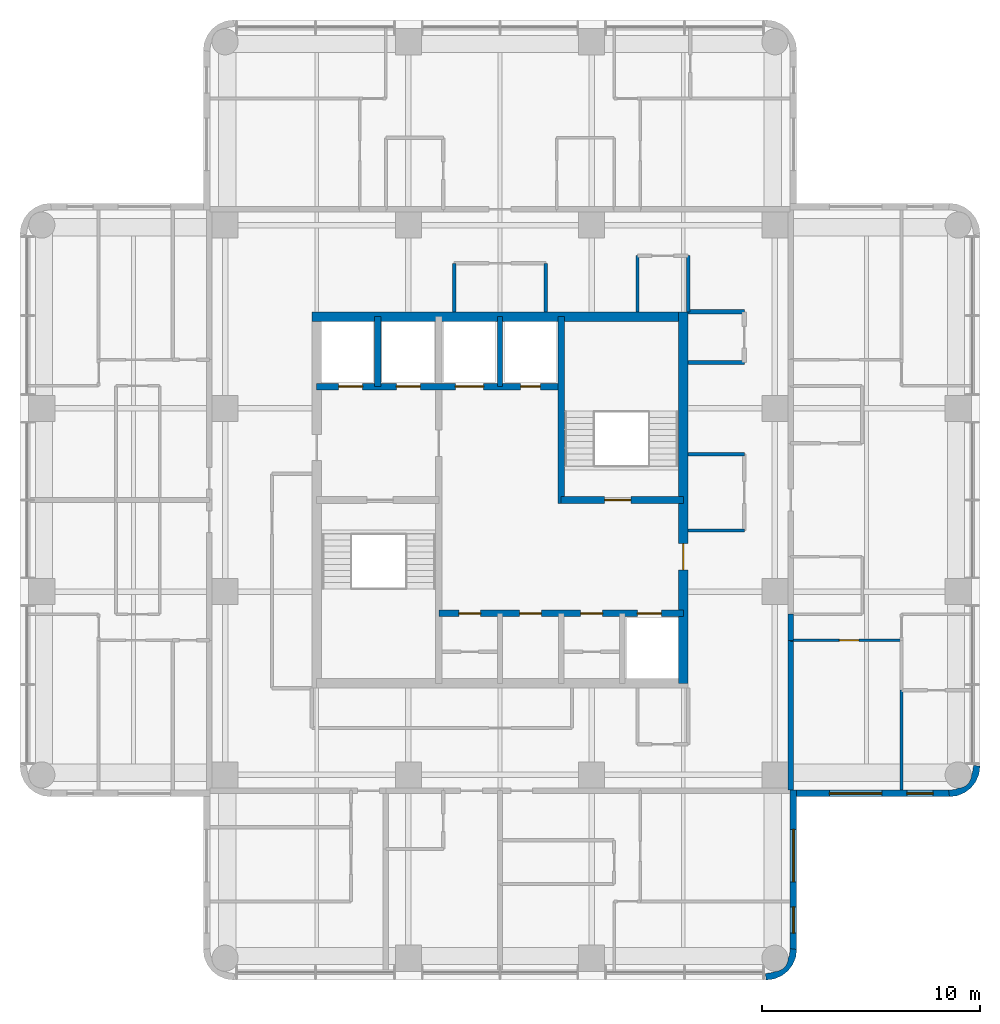
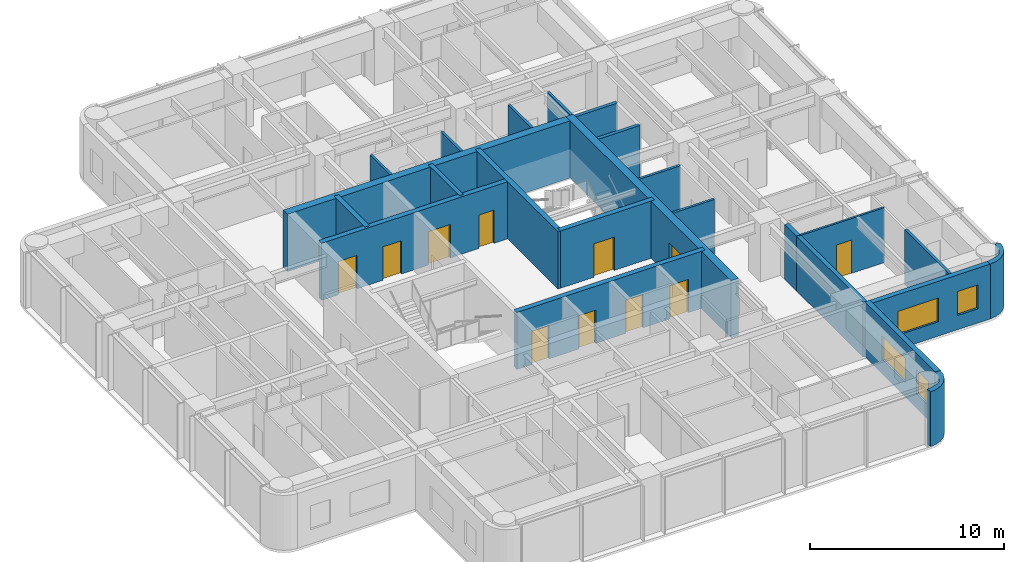
# One storey, part 6 of 10: 24 walls, 11 doors, 4 windows, 15 openings.
"""IFC4 building model written with IfcOpenShell, lengths in metres."""

from ifc_helpers import new_model, si_unit, direction, frame, frame_2d, origin, place, context, subcontext, project, spatial, polyline, rectangle, outline, extrude, material, layer, layer_set, type_object, element, fill, save


model = new_model("IFC4")

# Units and contexts
model_context = context("Model", 3, precision=1e-05, world=origin(), true_north=direction((0.0, 1.0)))
body_context = subcontext(model_context, "Body", "Model", "MODEL_VIEW")
ifc_project = project(units=[si_unit("LENGTHUNIT", "METRE"), si_unit("AREAUNIT", "SQUARE_METRE"), si_unit("VOLUMEUNIT", "CUBIC_METRE"), si_unit("PLANEANGLEUNIT", "RADIAN"), si_unit("MASSUNIT", "GRAM", prefix="KILO")], contexts=[model_context])

# Site, building, storey
site_placement = place(None, origin())
site = spatial("IfcSite", under=ifc_project, at=site_placement, CompositionType="ELEMENT")
building_placement = place(site_placement, origin())
building = spatial("IfcBuilding", under=site, at=building_placement, Name="Torre Alcanfor", CompositionType="ELEMENT")
storey_placement = place(building_placement, frame((0.0, 0.0, 261.300048828125)))
storey = spatial("IfcBuildingStorey", under=building, at=storey_placement, Name="L68", CompositionType="ELEMENT", Elevation=261.300048828125)

# Walls
ifc_material_1 = material(Name="Concrete block masonry, hollow blocks NMX-C-404 9 MPa", Category="masonry")
ifc_layer_1 = layer(ifc_material_1, 0.25)
ifc_layer_set_1 = layer_set([ifc_layer_1], Name="Apartment entrance wall 250 EI 60")
wall_type_1 = type_object("IfcWallType", Name="Apartment entrance wall 250 EI 60", PredefinedType="PARTITIONING", material=ifc_layer_set_1)
wall_1_placement = place(storey_placement, frame((42.72509765625, 24.1708984375, 0.0), z_axis=(0.0, 0.0, 1.0), x_axis=(0.0, -1.0, 0.0)))
element("IfcWall", 1, at=wall_1_placement, inside=storey, type_object=wall_type_1, Name="Partition L68-CORR / L68-EX-LIVING", PredefinedType="PARTITIONING", context=body_context, shape_type="SweptSolid", body=[
    extrude(rectangle(XDim=1.199951171875, YDim=0.25, at=frame_2d((0.60009765625, 0.0))), origin(), (0.0, 0.0, 1.0), 3.449951171875),
])
wall_2_placement = place(storey_placement, frame((42.72509765625, 22.970947265625, 0.0), z_axis=(0.0, 0.0, 1.0), x_axis=(0.0, -1.0, 0.0)))
element("IfcWall", 2, at=wall_2_placement, inside=storey, type_object=wall_type_1, Name="Partition L68-CORR / L68-EX-BED3", PredefinedType="PARTITIONING", context=body_context, shape_type="SweptSolid", body=[
    extrude(rectangle(XDim=6.870849609375, YDim=0.25, at=frame_2d((3.435546875, 0.0))), origin(), (0.0, 0.0, 1.0), 3.449951171875),
])

# Wall, opening, door
ifc_material_2 = material(Name="Gypsum board on steel studs", Category="steel")
ifc_layer_2 = layer(ifc_material_2, 0.1201171875)
ifc_layer_set_2 = layer_set([ifc_layer_2], Name="Apartment partition 120")
wall_type_2 = type_object("IfcWallType", Name="Apartment partition 120", PredefinedType="PARTITIONING", material=ifc_layer_set_2)
wall_3_placement = place(storey_placement, frame((47.800048828125, 22.970947265625, 0.0), z_axis=(0.0, 0.0, 1.0), x_axis=(-1.0, 0.0, 0.0)))
wall_3 = element("IfcWall", 3, at=wall_3_placement, inside=storey, type_object=wall_type_2, Name="Partition L68-EX-LIVING / L68-EX-BED3", PredefinedType="PARTITIONING", context=body_context, shape_type="SweptSolid", body=[
    extrude(rectangle(XDim=5.074951171875, YDim=0.1201171875, at=frame_2d((2.53759765625, 0.0))), origin(), (0.0, 0.0, 1.0), 3.449951171875),
])
opening_1_placement = place(wall_3_placement, frame((1.949951171875, 0.0, 0.0)))
opening_1 = element("IfcOpeningElement", 4, at=opening_1_placement, cuts=wall_3, Name="Opening D-R1", PredefinedType="OPENING", context=body_context, shape_type="SweptSolid", body=[
    extrude(rectangle(XDim=0.89990234375, YDim=2.10009765625, at=frame_2d((0.449951171875, 1.050048828125))), frame((0.0, 0.070068359375, 0.0), z_axis=(0.0, -1.0, 0.0), x_axis=(1.0, 0.0, 0.0)), (0.0, 0.0, 1.0), 0.14013671875),
])
ifc_material_3 = material(Name="Timber", Category="wood")
door_type_1 = type_object("IfcDoorType", Name="Internal door 900x2100", OperationType="SINGLE_SWING_LEFT", PredefinedType="DOOR", material=ifc_material_3)
door_1_placement = place(opening_1_placement, origin())
door_1 = element("IfcDoor", 5, at=door_1_placement, inside=storey, type_object=door_type_1, Name="Door L68-EX bed3", OperationType="SINGLE_SWING_LEFT", OverallHeight=2.10009765625, OverallWidth=0.89990234375, PredefinedType="DOOR", context=body_context, shape_type="SweptSolid", body=[
    extrude(rectangle(XDim=0.89990234375, YDim=2.10009765625, at=frame_2d((0.449951171875, 1.050048828125))), frame((0.0, 0.02490234375, 0.0), z_axis=(0.0, -1.0, 0.0), x_axis=(1.0, 0.0, 0.0)), (0.0, 0.0, 1.0), 0.050048828125),
])
fill(opening_1, door_1)

# Wall, openings, doors
ifc_material_4 = material(Name="Concrete f'c 70 MPa", Category="concrete")
ifc_layer_3 = layer(ifc_material_4, 0.300048828125)
ifc_layer_set_3 = layer_set([ifc_layer_3], Name="Core inner wall 300 f'c70")
wall_type_3 = type_object("IfcWallType", Name="Core inner wall 300 f'c70", PredefinedType="SHEAR", material=ifc_layer_set_3)
wall_4_placement = place(storey_placement, frame((21.0, 34.60009765625, 0.0), z_axis=(0.0, 0.0, 1.0), x_axis=(1.0, 0.0, 0.0)))
wall_4 = element("IfcWall", 6, at=wall_4_placement, inside=storey, type_object=wall_type_3, Name="Core wall Y346 L68", PredefinedType="SHEAR", context=body_context, shape_type="SweptSolid", body=[
    extrude(rectangle(XDim=11.199951171875, YDim=0.300048828125, at=frame_2d((5.60009765625, 0.0))), origin(), (0.0, 0.0, 1.0), 3.599853515625),
])
opening_2_placement = place(wall_4_placement, frame((9.35009765625, 0.0, 0.0)))
opening_2 = element("IfcOpeningElement", 7, at=opening_2_placement, cuts=wall_4, Name="Opening D-Q1", PredefinedType="OPENING", context=body_context, shape_type="SweptSolid", body=[
    extrude(rectangle(XDim=0.89990234375, YDim=2.10009765625, at=frame_2d((0.449951171875, 1.050048828125))), frame((0.0, 0.159912109375, 0.0), z_axis=(0.0, -1.0, 0.0), x_axis=(1.0, 0.0, 0.0)), (0.0, 0.0, 1.0), 0.320068359375),
])
opening_3_placement = place(wall_4_placement, frame((1.0, 0.0, 0.0)))
opening_3 = element("IfcOpeningElement", 8, at=opening_3_placement, cuts=wall_4, Name="Opening LD2", PredefinedType="OPENING", context=body_context, shape_type="SweptSolid", body=[
    extrude(rectangle(XDim=1.10009765625, YDim=2.10009765625, at=frame_2d((0.550048828125, 1.050048828125))), frame((0.0, 0.159912109375, 0.0), z_axis=(0.0, -1.0, 0.0), x_axis=(1.0, 0.0, 0.0)), (0.0, 0.0, 1.0), 0.320068359375),
])
opening_4_placement = place(wall_4_placement, frame((3.64990234375, 0.0, 0.0)))
opening_4 = element("IfcOpeningElement", 9, at=opening_4_placement, cuts=wall_4, Name="Opening LD2", PredefinedType="OPENING", context=body_context, shape_type="SweptSolid", body=[
    extrude(rectangle(XDim=1.10009765625, YDim=2.10009765625, at=frame_2d((0.550048828125, 1.050048828125))), frame((0.0, 0.159912109375, 0.0), z_axis=(0.0, -1.0, 0.0), x_axis=(1.0, 0.0, 0.0)), (0.0, 0.0, 1.0), 0.320068359375),
])
opening_5_placement = place(wall_4_placement, frame((6.35009765625, 0.0, 0.0)))
opening_5 = element("IfcOpeningElement", 10, at=opening_5_placement, cuts=wall_4, Name="Opening LD3", PredefinedType="OPENING", context=body_context, shape_type="SweptSolid", body=[
    extrude(rectangle(XDim=1.300048828125, YDim=2.10009765625, at=frame_2d((0.64990234375, 1.050048828125))), frame((0.0, 0.159912109375, 0.0), z_axis=(0.0, -1.0, 0.0), x_axis=(1.0, 0.0, 0.0)), (0.0, 0.0, 1.0), 0.320068359375),
])
ifc_material_5 = material(Name="Galvanised steel sheet ASTM A653", Category="steel")
door_type_2 = type_object("IfcDoorType", Name="Firefighting lift landing door 1100x2100", OperationType="DOUBLE_DOOR_SLIDING", PredefinedType="DOOR", material=ifc_material_5)
door_2_placement = place(opening_3_placement, origin())
door_2 = element("IfcDoor", 11, at=door_2_placement, inside=storey, type_object=door_type_2, Name="Lift landing door FL1 L68", OperationType="DOUBLE_DOOR_SLIDING", OverallHeight=2.10009765625, OverallWidth=1.10009765625, PredefinedType="DOOR", context=body_context, shape_type="SweptSolid", body=[
    extrude(rectangle(XDim=1.10009765625, YDim=2.10009765625, at=frame_2d((0.550048828125, 1.050048828125))), frame((0.0, 0.02490234375, 0.0), z_axis=(0.0, -1.0, 0.0), x_axis=(1.0, 0.0, 0.0)), (0.0, 0.0, 1.0), 0.050048828125),
])
fill(opening_3, door_2)
door_3_placement = place(opening_4_placement, origin())
door_3 = element("IfcDoor", 12, at=door_3_placement, inside=storey, type_object=door_type_2, Name="Lift landing door FL2 L68", OperationType="DOUBLE_DOOR_SLIDING", OverallHeight=2.10009765625, OverallWidth=1.10009765625, PredefinedType="DOOR", context=body_context, shape_type="SweptSolid", body=[
    extrude(rectangle(XDim=1.10009765625, YDim=2.10009765625, at=frame_2d((0.550048828125, 1.050048828125))), frame((0.0, 0.02490234375, 0.0), z_axis=(0.0, -1.0, 0.0), x_axis=(1.0, 0.0, 0.0)), (0.0, 0.0, 1.0), 0.050048828125),
])
fill(opening_4, door_3)
ifc_material_6 = material(Name="Galvanised steel sheet ASTM A653", Category="steel")
door_type_3 = type_object("IfcDoorType", Name="Riser access door FD120 900x2100", OperationType="SINGLE_SWING_LEFT", PredefinedType="DOOR", material=ifc_material_6)
door_4_placement = place(opening_2_placement, origin())
door_4 = element("IfcDoor", 13, at=door_4_placement, inside=storey, type_object=door_type_3, Name="Riser door L68", OperationType="SINGLE_SWING_LEFT", OverallHeight=2.10009765625, OverallWidth=0.89990234375, PredefinedType="DOOR", context=body_context, shape_type="SweptSolid", body=[
    extrude(rectangle(XDim=0.89990234375, YDim=2.10009765625, at=frame_2d((0.449951171875, 1.050048828125))), frame((0.0, 0.02490234375, 0.0), z_axis=(0.0, -1.0, 0.0), x_axis=(1.0, 0.0, 0.0)), (0.0, 0.0, 1.0), 0.050048828125),
])
fill(opening_2, door_4)
ifc_material_7 = material(Name="Galvanised steel sheet ASTM A653", Category="steel")
door_type_4 = type_object("IfcDoorType", Name="Service lift landing door 1300x2100", OperationType="DOUBLE_DOOR_SLIDING", PredefinedType="DOOR", material=ifc_material_7)
door_5_placement = place(opening_5_placement, origin())
door_5 = element("IfcDoor", 14, at=door_5_placement, inside=storey, type_object=door_type_4, Name="Lift landing door SL1 L68", OperationType="DOUBLE_DOOR_SLIDING", OverallHeight=2.10009765625, OverallWidth=1.300048828125, PredefinedType="DOOR", context=body_context, shape_type="SweptSolid", body=[
    extrude(rectangle(XDim=1.300048828125, YDim=2.10009765625, at=frame_2d((0.64990234375, 1.050048828125))), frame((0.0, 0.02490234375, 0.0), z_axis=(0.0, -1.0, 0.0), x_axis=(1.0, 0.0, 0.0)), (0.0, 0.0, 1.0), 0.050048828125),
])
fill(opening_5, door_5)

# Wall
wall_5_placement = place(storey_placement, frame((23.800048828125, 34.60009765625, 0.0), z_axis=(0.0, 0.0, 1.0), x_axis=(0.0, 1.0, 0.0)))
element("IfcWall", 15, at=wall_5_placement, inside=storey, type_object=wall_type_3, Name="Core wall X238 L68", PredefinedType="SHEAR", context=body_context, shape_type="SweptSolid", body=[
    extrude(rectangle(XDim=3.199951171875, YDim=0.300048828125, at=frame_2d((1.60009765625, 0.0))), origin(), (0.0, 0.0, 1.0), 3.599853515625),
])

# Wall, openings, doors
wall_6_placement = place(storey_placement, frame((26.60009765625, 24.199951171875, 0.0), z_axis=(0.0, 0.0, 1.0), x_axis=(1.0, 0.0, 0.0)))
wall_6 = element("IfcWall", 16, at=wall_6_placement, inside=storey, type_object=wall_type_3, Name="Core wall Y242 L68", PredefinedType="SHEAR", context=body_context, shape_type="SweptSolid", body=[
    extrude(rectangle(XDim=11.199951171875, YDim=0.300048828125, at=frame_2d((5.60009765625, 0.0))), origin(), (0.0, 0.0, 1.0), 3.599853515625),
])
opening_6_placement = place(wall_6_placement, frame((0.91259765625, 0.0, 0.0)))
opening_6 = element("IfcOpeningElement", 17, at=opening_6_placement, cuts=wall_6, Name="Opening D-K1", PredefinedType="OPENING", context=body_context, shape_type="SweptSolid", body=[
    extrude(rectangle(XDim=1.0, YDim=2.10009765625, at=frame_2d((0.5, 1.050048828125))), frame((0.0, 0.159912109375, 0.0), z_axis=(0.0, -1.0, 0.0), x_axis=(1.0, 0.0, 0.0)), (0.0, 0.0, 1.0), 0.320068359375),
])
opening_7_placement = place(wall_6_placement, frame((3.699951171875, 0.0, 0.0)))
opening_7 = element("IfcOpeningElement", 18, at=opening_7_placement, cuts=wall_6, Name="Opening D-K1", PredefinedType="OPENING", context=body_context, shape_type="SweptSolid", body=[
    extrude(rectangle(XDim=1.0, YDim=2.10009765625, at=frame_2d((0.5, 1.050048828125))), frame((0.0, 0.159912109375, 0.0), z_axis=(0.0, -1.0, 0.0), x_axis=(1.0, 0.0, 0.0)), (0.0, 0.0, 1.0), 0.320068359375),
])
opening_8_placement = place(wall_6_placement, frame((6.5, 0.0, 0.0)))
opening_8 = element("IfcOpeningElement", 19, at=opening_8_placement, cuts=wall_6, Name="Opening D-K1", PredefinedType="OPENING", context=body_context, shape_type="SweptSolid", body=[
    extrude(rectangle(XDim=1.0, YDim=2.10009765625, at=frame_2d((0.5, 1.050048828125))), frame((0.0, 0.159912109375, 0.0), z_axis=(0.0, -1.0, 0.0), x_axis=(1.0, 0.0, 0.0)), (0.0, 0.0, 1.0), 0.320068359375),
])
opening_9_placement = place(wall_6_placement, frame((9.10009765625, 0.0, 0.0)))
opening_9 = element("IfcOpeningElement", 20, at=opening_9_placement, cuts=wall_6, Name="Opening LD1", PredefinedType="OPENING", context=body_context, shape_type="SweptSolid", body=[
    extrude(rectangle(XDim=1.10009765625, YDim=2.10009765625, at=frame_2d((0.550048828125, 1.050048828125))), frame((0.0, 0.159912109375, 0.0), z_axis=(0.0, -1.0, 0.0), x_axis=(1.0, 0.0, 0.0)), (0.0, 0.0, 1.0), 0.320068359375),
])
ifc_material_8 = material(Name="Galvanised steel sheet ASTM A653", Category="steel")
door_type_5 = type_object("IfcDoorType", Name="Core room door FD60 1000x2100", OperationType="SINGLE_SWING_LEFT", PredefinedType="DOOR", material=ifc_material_8)
door_6_placement = place(opening_6_placement, frame((1.0, 0.0, 0.0), z_axis=(0.0, 0.0, 1.0), x_axis=(-1.0, 0.0, 0.0)))
door_6 = element("IfcDoor", 21, at=door_6_placement, inside=storey, type_object=door_type_5, Name="IT and comms room door L68", OperationType="SINGLE_SWING_RIGHT", OverallHeight=2.10009765625, OverallWidth=1.0, PredefinedType="DOOR", context=body_context, shape_type="SweptSolid", body=[
    extrude(rectangle(XDim=1.0, YDim=2.10009765625, at=frame_2d((0.5, 1.050048828125))), frame((0.0, 0.025146484375, 0.0), z_axis=(0.0, -1.0, 0.0), x_axis=(1.0, 0.0, 0.0)), (0.0, 0.0, 1.0), 0.050048828125),
])
fill(opening_6, door_6)
door_7_placement = place(opening_7_placement, frame((1.0, 0.0, 0.0), z_axis=(0.0, 0.0, 1.0), x_axis=(-1.0, 0.0, 0.0)))
door_7 = element("IfcDoor", 22, at=door_7_placement, inside=storey, type_object=door_type_5, Name="Cleaners' store door L68", OperationType="SINGLE_SWING_RIGHT", OverallHeight=2.10009765625, OverallWidth=1.0, PredefinedType="DOOR", context=body_context, shape_type="SweptSolid", body=[
    extrude(rectangle(XDim=1.0, YDim=2.10009765625, at=frame_2d((0.5, 1.050048828125))), frame((0.0, 0.025146484375, 0.0), z_axis=(0.0, -1.0, 0.0), x_axis=(1.0, 0.0, 0.0)), (0.0, 0.0, 1.0), 0.050048828125),
])
fill(opening_7, door_7)
door_8_placement = place(opening_8_placement, frame((1.0, 0.0, 0.0), z_axis=(0.0, 0.0, 1.0), x_axis=(-1.0, 0.0, 0.0)))
door_8 = element("IfcDoor", 23, at=door_8_placement, inside=storey, type_object=door_type_5, Name="Housekeeping store door L68", OperationType="SINGLE_SWING_RIGHT", OverallHeight=2.10009765625, OverallWidth=1.0, PredefinedType="DOOR", context=body_context, shape_type="SweptSolid", body=[
    extrude(rectangle(XDim=1.0, YDim=2.10009765625, at=frame_2d((0.5, 1.050048828125))), frame((0.0, 0.025146484375, 0.0), z_axis=(0.0, -1.0, 0.0), x_axis=(1.0, 0.0, 0.0)), (0.0, 0.0, 1.0), 0.050048828125),
])
fill(opening_8, door_8)
ifc_material_9 = material(Name="Galvanised steel sheet ASTM A653", Category="steel")
door_type_6 = type_object("IfcDoorType", Name="Lift landing door 1100x2100", OperationType="DOUBLE_DOOR_SLIDING", PredefinedType="DOOR", material=ifc_material_9)
door_9_placement = place(opening_9_placement, origin())
door_9 = element("IfcDoor", 24, at=door_9_placement, inside=storey, type_object=door_type_6, Name="Lift landing door PA4 L68", OperationType="DOUBLE_DOOR_SLIDING", OverallHeight=2.10009765625, OverallWidth=1.10009765625, PredefinedType="DOOR", context=body_context, shape_type="SweptSolid", body=[
    extrude(rectangle(XDim=1.10009765625, YDim=2.10009765625, at=frame_2d((0.550048828125, 1.050048828125))), frame((0.0, 0.02490234375, 0.0), z_axis=(0.0, -1.0, 0.0), x_axis=(1.0, 0.0, 0.0)), (0.0, 0.0, 1.0), 0.050048828125),
])
fill(opening_9, door_9)

# Wall
wall_7_placement = place(storey_placement, frame((32.199951171875, 29.25, 0.0), z_axis=(0.0, 0.0, 1.0), x_axis=(0.0, 1.0, 0.0)))
element("IfcWall", 25, at=wall_7_placement, inside=storey, type_object=wall_type_3, Name="Core wall X322N L68", PredefinedType="SHEAR", context=body_context, shape_type="SweptSolid", body=[
    extrude(rectangle(XDim=8.550048828125, YDim=0.300048828125, at=frame_2d((4.27490234375, 0.0))), origin(), (0.0, 0.0, 1.0), 3.599853515625),
])

# Wall, opening, door
wall_8_placement = place(storey_placement, frame((32.199951171875, 29.39990234375, 0.0), z_axis=(0.0, 0.0, 1.0), x_axis=(1.0, 0.0, 0.0)))
wall_8 = element("IfcWall", 26, at=wall_8_placement, inside=storey, type_object=wall_type_3, Name="Core wall Y294E L68", PredefinedType="SHEAR", context=body_context, shape_type="SweptSolid", body=[
    extrude(rectangle(XDim=5.60009765625, YDim=0.300048828125, at=frame_2d((2.800048828125, 0.0))), origin(), (0.0, 0.0, 1.0), 3.599853515625),
])
opening_10_placement = place(wall_8_placement, frame((2.0, 0.0, 0.0)))
opening_10 = element("IfcOpeningElement", 27, at=opening_10_placement, cuts=wall_8, Name="Opening D-S2", PredefinedType="OPENING", context=body_context, shape_type="SweptSolid", body=[
    extrude(rectangle(XDim=1.199951171875, YDim=2.10009765625, at=frame_2d((0.60009765625, 1.050048828125))), frame((0.0, 0.159912109375, 0.0), z_axis=(0.0, -1.0, 0.0), x_axis=(1.0, 0.0, 0.0)), (0.0, 0.0, 1.0), 0.320068359375),
])
ifc_material_10 = material(Name="Galvanised steel sheet ASTM A653", Category="steel")
door_type_7 = type_object("IfcDoorType", Name="Stair enclosure door FD120 1200x2100", OperationType="SINGLE_SWING_LEFT", PredefinedType="DOOR", material=ifc_material_10)
door_10_placement = place(opening_10_placement, origin())
door_10 = element("IfcDoor", 28, at=door_10_placement, inside=storey, type_object=door_type_7, Name="Stair S2 door L68", OperationType="SINGLE_SWING_LEFT", OverallHeight=2.10009765625, OverallWidth=1.199951171875, PredefinedType="DOOR", context=body_context, shape_type="SweptSolid", body=[
    extrude(rectangle(XDim=1.199951171875, YDim=2.10009765625, at=frame_2d((0.60009765625, 1.050048828125))), frame((0.0, 0.02490234375, 0.0), z_axis=(0.0, -1.0, 0.0), x_axis=(1.0, 0.0, 0.0)), (0.0, 0.0, 1.0), 0.050048828125),
])
fill(opening_10, door_10)

# Wall
ifc_material_11 = material(Name="Concrete f'c 70 MPa", Category="concrete")
ifc_layer_4 = layer(ifc_material_11, 0.25)
ifc_layer_set_4 = layer_set([ifc_layer_4], Name="Core shaft wall 250 f'c70")
wall_type_4 = type_object("IfcWallType", Name="Core shaft wall 250 f'c70", PredefinedType="SHEAR", material=ifc_layer_set_4)
wall_9_placement = place(storey_placement, frame((29.39990234375, 34.60009765625, 0.0), z_axis=(0.0, 0.0, 1.0), x_axis=(0.0, 1.0, 0.0)))
element("IfcWall", 29, at=wall_9_placement, inside=storey, type_object=wall_type_4, Name="Core wall X294N L68", PredefinedType="SHEAR", context=body_context, shape_type="SweptSolid", body=[
    extrude(rectangle(XDim=3.199951171875, YDim=0.25, at=frame_2d((1.60009765625, 0.0))), origin(), (0.0, 0.0, 1.0), 3.599853515625),
])

# Wall, opening, door
ifc_material_12 = material(Name="Concrete f'c 70 MPa", Category="concrete")
ifc_layer_5 = layer(ifc_material_12, 0.449951171875)
ifc_layer_set_5 = layer_set([ifc_layer_5], Name="Core wall 450 f'c70")
wall_type_5 = type_object("IfcWallType", Name="Core wall 450 f'c70", PredefinedType="SHEAR", material=ifc_layer_set_5)
wall_10_placement = place(storey_placement, frame((37.800048828125, 21.0, 0.0), z_axis=(0.0, 0.0, 1.0), x_axis=(0.0, 1.0, 0.0)))
wall_10 = element("IfcWall", 30, at=wall_10_placement, inside=storey, type_object=wall_type_5, Name="Core wall OUT-E L68", PredefinedType="SHEAR", context=body_context, shape_type="SweptSolid", body=[
    extrude(rectangle(XDim=17.02490234375, YDim=0.449951171875, at=frame_2d((8.512451171875, 0.0))), origin(), (0.0, 0.0, 1.0), 3.599853515625),
])
opening_11_placement = place(wall_10_placement, frame((5.199951171875, 0.0, 0.0)))
opening_11 = element("IfcOpeningElement", 31, at=opening_11_placement, cuts=wall_10, Name="Opening D-L1", PredefinedType="OPENING", context=body_context, shape_type="SweptSolid", body=[
    extrude(rectangle(XDim=1.199951171875, YDim=2.10009765625, at=frame_2d((0.60009765625, 1.050048828125))), frame((0.0, 0.23486328125, 0.0), z_axis=(0.0, -1.0, 0.0), x_axis=(1.0, 0.0, 0.0)), (0.0, 0.0, 1.0), 0.469970703125),
])
ifc_material_13 = material(Name="Galvanised steel sheet ASTM A653", Category="steel")
door_type_8 = type_object("IfcDoorType", Name="Lobby door FD120 1200x2100", OperationType="SINGLE_SWING_LEFT", PredefinedType="DOOR", material=ifc_material_13)
door_11_placement = place(opening_11_placement, origin())
door_11 = element("IfcDoor", 32, at=door_11_placement, inside=storey, type_object=door_type_8, Name="Lift lobby entrance door L68", OperationType="SINGLE_SWING_LEFT", OverallHeight=2.10009765625, OverallWidth=1.199951171875, PredefinedType="DOOR", context=body_context, shape_type="SweptSolid", body=[
    extrude(rectangle(XDim=1.199951171875, YDim=2.10009765625, at=frame_2d((0.60009765625, 1.050048828125))), frame((0.0, 0.02490234375, 0.0), z_axis=(0.0, -1.0, 0.0), x_axis=(1.0, 0.0, 0.0)), (0.0, 0.0, 1.0), 0.050048828125),
])
fill(opening_11, door_11)

# Wall
wall_11_placement = place(storey_placement, frame((37.800048828125, 37.800048828125, 0.0), z_axis=(0.0, 0.0, 1.0), x_axis=(-1.0, 0.0, 0.0)))
element("IfcWall", 33, at=wall_11_placement, inside=storey, type_object=wall_type_5, Name="Core wall OUT-N L68", PredefinedType="SHEAR", context=body_context, shape_type="SweptSolid", body=[
    extrude(rectangle(XDim=17.025146484375, YDim=0.449951171875, at=frame_2d((8.5126953125, 0.0))), origin(), (0.0, 0.0, 1.0), 3.599853515625),
])

# Wall, openings, windows
ifc_material_14 = material(Name="Limestone cladding", Category="masonry")
ifc_layer_6 = layer(ifc_material_14, 0.0400390625, Name="Facing")
ifc_material_15 = material(Name="Ventilated air cavity")
ifc_layer_7 = layer(ifc_material_15, 0.02001953125, ventilated=True, Name="Ventilated joint")
ifc_material_16 = material(Name="Mineral wool insulation", Category="insulation")
ifc_layer_8 = layer(ifc_material_16, 0.10009765625, Name="Insulation")
ifc_material_17 = material(Name="Concrete f'c 35 MPa", Category="concrete")
ifc_layer_9 = layer(ifc_material_17, 0.139892578125, Name="Backing")
ifc_layer_set_6 = layer_set([ifc_layer_6, ifc_layer_7, ifc_layer_8, ifc_layer_9], Name="External wall stone-clad 300")
wall_type_6 = type_object("IfcWallType", Name="External wall stone-clad 300", PredefinedType="SOLIDWALL", material=ifc_layer_set_6)
wall_12_placement = place(storey_placement, frame((42.85009765625, 8.800048828125, 0.0), z_axis=(0.0, 0.0, 1.0), x_axis=(0.0, 1.0, 0.0)))
wall_12 = element("IfcWall", 34, at=wall_12_placement, inside=storey, type_object=wall_type_6, Name="External wall L68 6", PredefinedType="SOLIDWALL", context=body_context, shape_type="SweptSolid", body=[
    extrude(rectangle(XDim=7.300048828125, YDim=0.300048828125, at=frame_2d((3.64990234375, 0.0))), origin(), (0.0, 0.0, 1.0), 3.449951171875),
])
opening_12_placement = place(wall_12_placement, frame((3.10009765625, 0.0, 0.89990234375)))
opening_12 = element("IfcOpeningElement", 35, at=opening_12_placement, cuts=wall_12, Name="Opening W1", PredefinedType="OPENING", context=body_context, shape_type="SweptSolid", body=[
    extrude(rectangle(XDim=2.39990234375, YDim=1.5, at=frame_2d((1.199951171875, 0.75))), frame((0.0, 0.159912109375, 0.0), z_axis=(0.0, -1.0, 0.0), x_axis=(1.0, 0.0, 0.0)), (0.0, 0.0, 1.0), 0.320068359375),
])
opening_13_placement = place(wall_12_placement, frame((0.75, 0.0, 0.89990234375)))
opening_13 = element("IfcOpeningElement", 36, at=opening_13_placement, cuts=wall_12, Name="Opening W4", PredefinedType="OPENING", context=body_context, shape_type="SweptSolid", body=[
    extrude(rectangle(XDim=1.199951171875, YDim=1.5, at=frame_2d((0.60009765625, 0.75))), frame((0.0, 0.159912109375, 0.0), z_axis=(0.0, -1.0, 0.0), x_axis=(1.0, 0.0, 0.0)), (0.0, 0.0, 1.0), 0.320068359375),
])
ifc_material_18 = material(Name="Aluminium frame with clear double glazing", Category="aluminium")
window_type_1 = type_object("IfcWindowType", Name="Window bedroom 1200x1500", PartitioningType="SINGLE_PANEL", PredefinedType="WINDOW", material=ifc_material_18)
window_1_placement = place(opening_13_placement, origin())
window_1 = element("IfcWindow", 37, at=window_1_placement, inside=storey, type_object=window_type_1, Name="Window W4 L68-S1", OverallHeight=1.5, OverallWidth=1.199951171875, PartitioningType="SINGLE_PANEL", PredefinedType="WINDOW", context=body_context, shape_type="SweptSolid", body=[
    extrude(rectangle(XDim=1.199951171875, YDim=1.5, at=frame_2d((0.60009765625, 0.75))), frame((0.0, 0.030029296875, 0.0), z_axis=(0.0, -1.0, 0.0), x_axis=(1.0, 0.0, 0.0)), (0.0, 0.0, 1.0), 0.06005859375),
])
fill(opening_13, window_1)
ifc_material_19 = material(Name="Aluminium frame with clear double glazing", Category="aluminium")
window_type_2 = type_object("IfcWindowType", Name="Window bedroom 2400x1500", PartitioningType="SINGLE_PANEL", PredefinedType="WINDOW", material=ifc_material_19)
window_2_placement = place(opening_12_placement, origin())
window_2 = element("IfcWindow", 38, at=window_2_placement, inside=storey, type_object=window_type_2, Name="Window W1 L68-S1", OverallHeight=1.5, OverallWidth=2.39990234375, PartitioningType="SINGLE_PANEL", PredefinedType="WINDOW", context=body_context, shape_type="SweptSolid", body=[
    extrude(rectangle(XDim=2.39990234375, YDim=1.5, at=frame_2d((1.199951171875, 0.75))), frame((0.0, 0.030029296875, 0.0), z_axis=(0.0, -1.0, 0.0), x_axis=(1.0, 0.0, 0.0)), (0.0, 0.0, 1.0), 0.06005859375),
])
fill(opening_12, window_2)

wall_13_placement = place(storey_placement, frame((43.0, 15.949951171875, 0.0), z_axis=(0.0, 0.0, 1.0), x_axis=(1.0, 0.0, 0.0)))
wall_13 = element("IfcWall", 39, at=wall_13_placement, inside=storey, type_object=wall_type_6, Name="External wall L68 7", PredefinedType="SOLIDWALL", context=body_context, shape_type="SweptSolid", body=[
    extrude(rectangle(XDim=7.0, YDim=0.300048828125, at=frame_2d((3.5, 0.0))), origin(), (0.0, 0.0, 1.0), 3.449951171875),
])
opening_14_placement = place(wall_13_placement, frame((1.5, 0.0, 0.89990234375)))
opening_14 = element("IfcOpeningElement", 40, at=opening_14_placement, cuts=wall_13, Name="Opening W1", PredefinedType="OPENING", context=body_context, shape_type="SweptSolid", body=[
    extrude(rectangle(XDim=2.39990234375, YDim=1.5, at=frame_2d((1.199951171875, 0.75))), frame((0.0, 0.159912109375, 0.0), z_axis=(0.0, -1.0, 0.0), x_axis=(1.0, 0.0, 0.0)), (0.0, 0.0, 1.0), 0.320068359375),
])
opening_15_placement = place(wall_13_placement, frame((5.050048828125, 0.0, 0.89990234375)))
opening_15 = element("IfcOpeningElement", 41, at=opening_15_placement, cuts=wall_13, Name="Opening W4", PredefinedType="OPENING", context=body_context, shape_type="SweptSolid", body=[
    extrude(rectangle(XDim=1.199951171875, YDim=1.5, at=frame_2d((0.60009765625, 0.75))), frame((0.0, 0.159912109375, 0.0), z_axis=(0.0, -1.0, 0.0), x_axis=(1.0, 0.0, 0.0)), (0.0, 0.0, 1.0), 0.320068359375),
])
window_3_placement = place(opening_15_placement, origin())
window_3 = element("IfcWindow", 42, at=window_3_placement, inside=storey, type_object=window_type_1, Name="Window W4 L68-E2", OverallHeight=1.5, OverallWidth=1.199951171875, PartitioningType="SINGLE_PANEL", PredefinedType="WINDOW", context=body_context, shape_type="SweptSolid", body=[
    extrude(rectangle(XDim=1.199951171875, YDim=1.5, at=frame_2d((0.60009765625, 0.75))), frame((0.0, 0.030029296875, 0.0), z_axis=(0.0, -1.0, 0.0), x_axis=(1.0, 0.0, 0.0)), (0.0, 0.0, 1.0), 0.06005859375),
])
fill(opening_15, window_3)
window_4_placement = place(opening_14_placement, origin())
window_4 = element("IfcWindow", 43, at=window_4_placement, inside=storey, type_object=window_type_2, Name="Window W1 L68-E2", OverallHeight=1.5, OverallWidth=2.39990234375, PartitioningType="SINGLE_PANEL", PredefinedType="WINDOW", context=body_context, shape_type="SweptSolid", body=[
    extrude(rectangle(XDim=2.39990234375, YDim=1.5, at=frame_2d((1.199951171875, 0.75))), frame((0.0, 0.030029296875, 0.0), z_axis=(0.0, -1.0, 0.0), x_axis=(1.0, 0.0, 0.0)), (0.0, 0.0, 1.0), 0.06005859375),
])
fill(opening_14, window_4)

# Walls
ifc_material_20 = material(Name="Concrete block masonry, hollow blocks NMX-C-404 9 MPa", Category="masonry")
ifc_layer_10 = layer(ifc_material_20, 0.199951171875)
ifc_layer_set_7 = layer_set([ifc_layer_10], Name="Plant room wall 200 EI 60")
wall_type_7 = type_object("IfcWallType", Name="Plant room wall 200 EI 60", PredefinedType="PARTITIONING", material=ifc_layer_set_7)
for number, where, z_axis, x_axis, name in (
    (44, (38.02490234375, 35.699951171875, 0.0), (0.0, 0.0, 1.0), (1.0, 0.0, 0.0), "Partition L68-CORR / L68-G04"),
    (45, (40.60009765625, 38.02490234375, 0.0), (0.0, 0.0, 1.0), (-1.0, 0.0, 0.0), "Partition L68-CORR / L68-G04"),
):
    element("IfcWall", number, at=place(storey_placement, frame(where, z_axis=z_axis, x_axis=x_axis)), inside=storey, type_object=wall_type_7, Name=name, PredefinedType="PARTITIONING", context=body_context, shape_type="SweptSolid", body=[
        extrude(rectangle(XDim=2.5751953125, YDim=0.199951171875, at=frame_2d((1.28759765625, 0.0))), origin(), (0.0, 0.0, 1.0), 3.449951171875),
    ])
ifc_material_21 = material(Name="Concrete block masonry, hollow blocks NMX-C-404 9 MPa", Category="masonry")
ifc_layer_11 = layer(ifc_material_21, 0.14990234375)
ifc_layer_set_8 = layer_set([ifc_layer_11], Name="Residents' room partition 150")
wall_type_8 = type_object("IfcWallType", Name="Residents' room partition 150", PredefinedType="PARTITIONING", material=ifc_layer_set_8)
for number, where, z_axis, x_axis, name in (
    (46, (31.5, 38.02490234375, 0.0), (0.0, 0.0, 1.0), (0.0, 1.0, 0.0), "Partition L68-CORR / L68-G01"),
    (47, (27.300048828125, 40.25, 0.0), (0.0, 0.0, 1.0), (0.0, -1.0, 0.0), "Partition L68-CORR / L68-G01"),
):
    element("IfcWall", number, at=place(storey_placement, frame(where, z_axis=z_axis, x_axis=x_axis)), inside=storey, type_object=wall_type_8, Name=name, PredefinedType="PARTITIONING", context=body_context, shape_type="SweptSolid", body=[
        extrude(rectangle(XDim=2.22509765625, YDim=0.14990234375, at=frame_2d((1.112548828125, 0.0))), origin(), (0.0, 0.0, 1.0), 3.449951171875),
    ])
for number, where, z_axis, x_axis, name in (
    (48, (38.02490234375, 38.02490234375, 0.0), (0.0, 0.0, 1.0), (0.0, 1.0, 0.0), "Partition L68-CORR / L68-G02"),
    (49, (35.699951171875, 40.60009765625, 0.0), (0.0, 0.0, 1.0), (0.0, -1.0, 0.0), "Partition L68-CORR / L68-G02"),
    (50, (38.02490234375, 28.0, 0.0), (0.0, 0.0, 1.0), (1.0, 0.0, 0.0), "Partition L68-CORR / L68-G03"),
    (51, (40.60009765625, 31.5, 0.0), (0.0, 0.0, 1.0), (-1.0, 0.0, 0.0), "Partition L68-CORR / L68-G03"),
):
    element("IfcWall", number, at=place(storey_placement, frame(where, z_axis=z_axis, x_axis=x_axis)), inside=storey, type_object=wall_type_8, Name=name, PredefinedType="PARTITIONING", context=body_context, shape_type="SweptSolid", body=[
        extrude(rectangle(XDim=2.5751953125, YDim=0.14990234375, at=frame_2d((1.28759765625, 0.0))), origin(), (0.0, 0.0, 1.0), 3.449951171875),
    ])
ifc_layer_12 = layer(ifc_material_14, 0.0400390625, Name="Facing")
ifc_layer_13 = layer(ifc_material_15, 0.02001953125, ventilated=True, Name="Ventilated joint")
ifc_layer_14 = layer(ifc_material_16, 0.10009765625, Name="Insulation")
ifc_layer_15 = layer(ifc_material_17, 0.139892578125, Name="Backing")
ifc_layer_set_9 = layer_set([ifc_layer_12, ifc_layer_13, ifc_layer_14, ifc_layer_15], Name="Rounded corner pier stone-clad 300")
wall_type_9 = type_object("IfcWallType", Name="Rounded corner pier stone-clad 300", PredefinedType="SOLIDWALL", material=ifc_layer_set_9)
wall_14_placement = place(storey_placement, frame((41.638418254, 7.824101883, 0.0), z_axis=(0.0, 0.0, 1.0), x_axis=(0.707106781187, -0.707106781187, 0.0)))
element("IfcWall", 52, at=wall_14_placement, inside=storey, type_object=wall_type_9, Name="Corner pier L68 16", PredefinedType="SOLIDWALL", context=body_context, shape_type="SweptSolid", body=[
    extrude(outline(polyline([(0.0325517960828704, 1.468682453281438), (0.04670774238592146, 1.4545265069783868), (0.23297927971509252, 1.2116311844370118), (0.29219256729980597, 1.0692085539489986), (0.35796592756154294, 1.0034351936872616), (0.44946167805687254, 0.7824643245664655), (0.44946167805687254, 0.5431943053466035), (0.3577932940700423, 0.322396069717308), (0.2921925672998059, 0.2567953429470716), (0.23315191320659318, 0.1142000789675579), (0.046707742385921465, -0.12886787706531783), (0.03272442957437109, -0.14285118987686818), (0.2728576162517362, -0.3270511253080318), (0.4952095533045373, -0.03702685958698693), (0.6350426814200412, 0.3006442497882296), (0.6826895250742129, 0.6628293149565345), (0.635042681420041, 1.0253596471078406), (0.49520955330453736, 1.3630307564830573), (0.2726849827602357, 1.6528823887126016), (0.0325517960828704, 1.468682453281438)])), origin(), (0.0, 0.0, 1.0), 3.449951171875),
])
wall_15_placement = place(storey_placement, frame((50.038418254, 16.224101883, 0.0), z_axis=(0.0, 0.0, 1.0), x_axis=(0.707106781187, -0.707106781187, 0.0)))
element("IfcWall", 53, at=wall_15_placement, inside=storey, type_object=wall_type_9, Name="Corner pier L68 17", PredefinedType="SOLIDWALL", context=body_context, shape_type="SweptSolid", body=[
    extrude(outline(polyline([(0.046707742385922124, 1.454733667168189), (0.23315191320659384, 1.2116657111353133), (0.29219256729980647, 1.0690704471557995), (0.35796592756154344, 1.0032970868940625), (0.44928904456537255, 0.782498851264767), (0.44946167805687315, 0.5434014655364057), (0.3579659275615435, 0.3224305964156095), (0.2921925672998065, 0.25665723615387254), (0.2331519132065938, 0.11406197217435879), (0.046535108894421466, -0.1288333503670163), (0.032551796082871086, -0.14281666317856667), (0.2726849827602362, -0.3270165986097303), (0.495209553304538, -0.03716496638018607), (0.6350426814200417, 0.30050614299503053), (0.6826895250742134, 0.6630364751463366), (0.6350426814200417, 1.0252215403146416), (0.495209553304538, 1.3628926496898581), (0.27268498276023634, 1.6527442819194023), (0.032724429574371716, 1.4687169799797393), (0.046707742385922124, 1.454733667168189)])), origin(), (0.0, 0.0, 1.0), 3.449951171875),
])
ifc_material_22 = material(Name="Cement board on steel studs", Category="steel")
ifc_layer_16 = layer(ifc_material_22, 0.14990234375)
ifc_layer_set_10 = layer_set([ifc_layer_16], Name="Wet area partition 150")
wall_type_10 = type_object("IfcWallType", Name="Wet area partition 150", PredefinedType="PARTITIONING", material=ifc_layer_set_10)
wall_16_placement = place(storey_placement, frame((47.800048828125, 16.10009765625, 0.0), z_axis=(0.0, 0.0, 1.0), x_axis=(0.0, 1.0, 0.0)))
element("IfcWall", 54, at=wall_16_placement, inside=storey, type_object=wall_type_10, Name="Partition L68-EX-BED3 / L68-EX-BATH1", PredefinedType="PARTITIONING", context=body_context, shape_type="SweptSolid", body=[
    extrude(rectangle(XDim=4.5859375, YDim=0.14990234375, at=frame_2d((2.29296875, 0.0))), origin(), (0.0, 0.0, 1.0), 3.449951171875),
])

save(model, "model.ifc")
